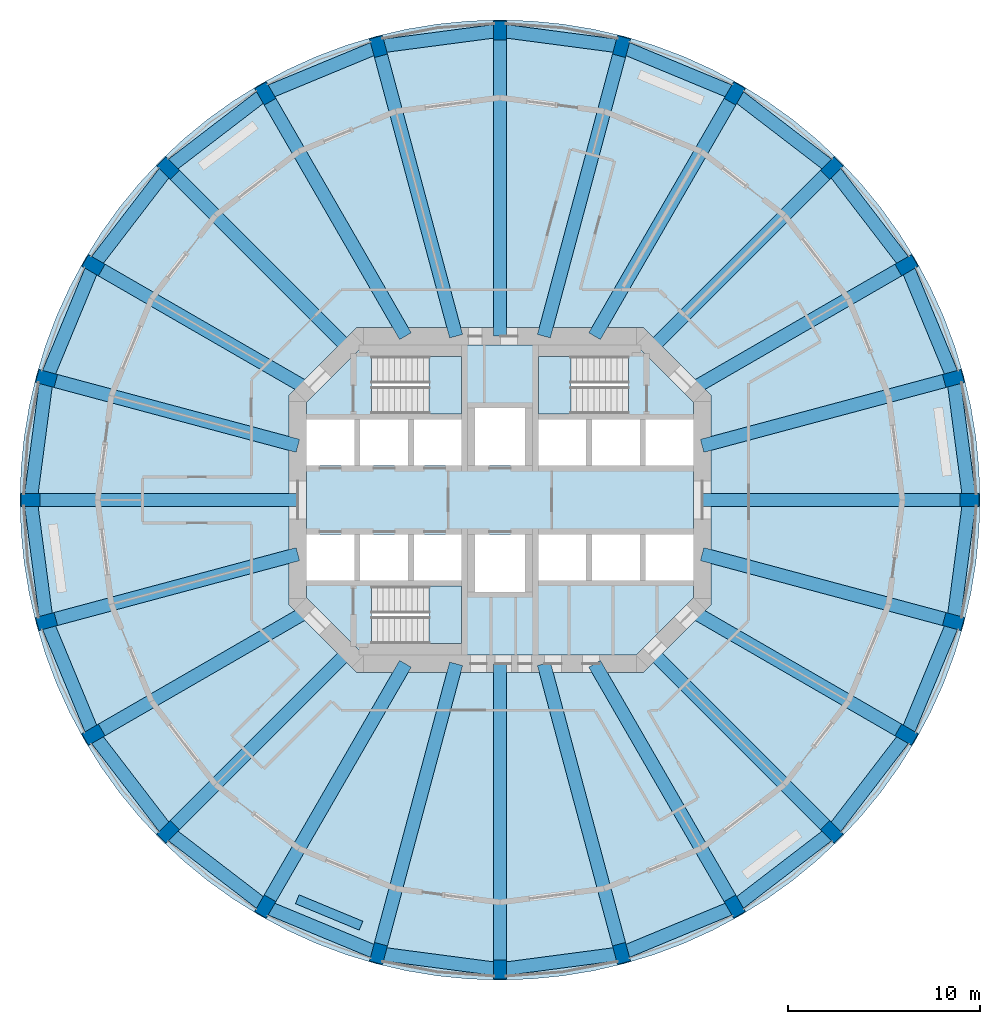
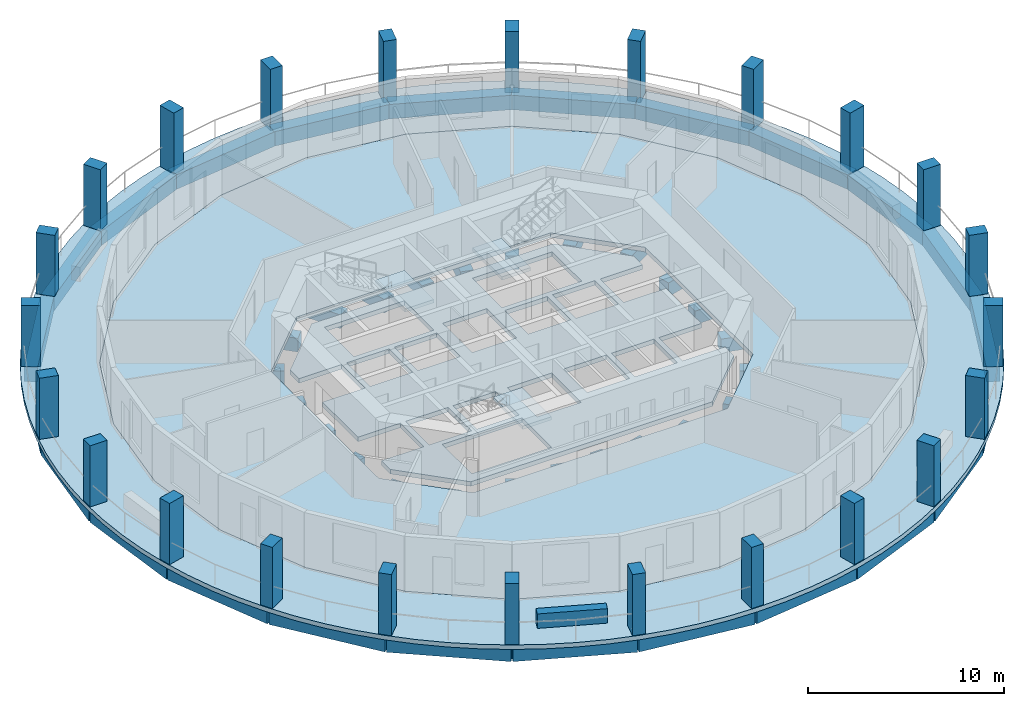
# One storey, part 1 of 8: 48 beams, 24 columns, 6 slabs, 1 wall, 3 elements without a shape of their own.
"""IFC4 building model written with IfcOpenShell, lengths in metres."""

from ifc_helpers import new_model, si_unit, direction, frame, frame_2d, origin, origin_2d, place, context, subcontext, project, spatial, polyline, rectangle, outline, extrude, material, layer, layer_set, material_profile, profile_set, type_object, element, aggregate, save


model = new_model("IFC4")

# Units and contexts
model_context = context("Model", 3, precision=1e-05, world=origin(), true_north=direction((0.0, 1.0)))
body_context = subcontext(model_context, "Body", "Model", "MODEL_VIEW")
ifc_project = project(units=[si_unit("LENGTHUNIT", "METRE"), si_unit("AREAUNIT", "SQUARE_METRE"), si_unit("VOLUMEUNIT", "CUBIC_METRE"), si_unit("PLANEANGLEUNIT", "RADIAN"), si_unit("MASSUNIT", "GRAM", prefix="KILO")], contexts=[model_context])

# Site, building, storey
site_placement = place(None, origin())
site = spatial("IfcSite", under=ifc_project, at=site_placement, CompositionType="ELEMENT")
building_placement = place(site_placement, origin())
building = spatial("IfcBuilding", under=site, at=building_placement, Name="Torre Triforio", CompositionType="ELEMENT")
storey_placement = place(building_placement, frame((0.0, 0.0, 139.0)))
storey = spatial("IfcBuildingStorey", under=building, at=storey_placement, Name="L31", CompositionType="ELEMENT", Elevation=139.0)

# Columns
ifc_material_1 = material(Name="Concrete C60", Category="concrete")
ifc_material_profile_1 = material_profile(ifc_material_1, rectangle(XDim=0.699951171875, YDim=1.0, at=origin_2d()), Name="RC 700x1000")
ifc_profile_set_1 = profile_set([ifc_material_profile_1], Name="Concrete C60")
column_type = type_object("IfcColumnType", Name="Pier RC 700x1000 C60", PredefinedType="COLUMN", material=ifc_profile_set_1)
for number, where, z_axis, x_axis, name in (
    (1, (24.5, 0.0, 0.0), (0.0, 0.0, 1.0), (0.0, 1.0, 0.0), "COL.R.L31.00"),
    (2, (23.665283203125, 6.341064453125, 0.0), (0.0, 0.0, 1.0), (-0.258819045103, 0.965925826289, 0.0), "COL.R.L31.01"),
    (3, (21.217529296875, 12.25, 0.0), (0.0, 0.0, 1.0), (-0.5, 0.866025403784, 0.0), "COL.R.L31.02"),
    (4, (17.32421875, 17.32421875, 0.0), (0.0, 0.0, 1.0), (-0.707106781187, 0.707106781187, 0.0), "COL.R.L31.03"),
    (5, (12.25, 21.217529296875, 0.0), (0.0, 0.0, 1.0), (-0.866025403784, 0.5, 0.0), "COL.R.L31.04"),
    (6, (6.341064453125, 23.665283203125, 0.0), (0.0, 0.0, 1.0), (-0.965925826289, 0.258819045103, 0.0), "COL.R.L31.05"),
    (7, (0.0, 24.5, 0.0), (0.0, 0.0, 1.0), (-1.0, 0.0, 0.0), "COL.R.L31.06"),
    (8, (-6.341064453125, 23.665283203125, 0.0), (0.0, 0.0, 1.0), (-0.965925826289, -0.258819045103, 0.0), "COL.R.L31.07"),
    (9, (-12.25, 21.217529296875, 0.0), (0.0, 0.0, 1.0), (-0.866025403784, -0.5, 0.0), "COL.R.L31.08"),
    (10, (-17.32421875, 17.32421875, 0.0), (0.0, 0.0, 1.0), (-0.707106781187, -0.707106781187, 0.0), "COL.R.L31.09"),
    (11, (-21.217529296875, 12.25, 0.0), (0.0, 0.0, 1.0), (-0.5, -0.866025403784, 0.0), "COL.R.L31.10"),
    (12, (-23.665283203125, 6.341064453125, 0.0), (0.0, 0.0, 1.0), (-0.258819045103, -0.965925826289, 0.0), "COL.R.L31.11"),
    (13, (-24.5, 0.0, 0.0), (0.0, 0.0, 1.0), (0.0, -1.0, 0.0), "COL.R.L31.12"),
    (14, (-23.665283203125, -6.341064453125, 0.0), (0.0, 0.0, 1.0), (0.258819045103, -0.965925826289, 0.0), "COL.R.L31.13"),
    (15, (-21.217529296875, -12.25, 0.0), (0.0, 0.0, 1.0), (0.5, -0.866025403784, 0.0), "COL.R.L31.14"),
    (16, (-17.32421875, -17.32421875, 0.0), (0.0, 0.0, 1.0), (0.707106781187, -0.707106781187, 0.0), "COL.R.L31.15"),
    (17, (-12.25, -21.217529296875, 0.0), (0.0, 0.0, 1.0), (0.866025403784, -0.5, 0.0), "COL.R.L31.16"),
    (18, (-6.341064453125, -23.665283203125, 0.0), (0.0, 0.0, 1.0), (0.965925826289, -0.258819045103, 0.0), "COL.R.L31.17"),
    (19, (0.0, -24.5, 0.0), (0.0, 0.0, 1.0), (1.0, 0.0, 0.0), "COL.R.L31.18"),
    (20, (6.341064453125, -23.665283203125, 0.0), (0.0, 0.0, 1.0), (0.965925826289, 0.258819045103, 0.0), "COL.R.L31.19"),
    (21, (12.25, -21.217529296875, 0.0), (0.0, 0.0, 1.0), (0.866025403784, 0.5, 0.0), "COL.R.L31.20"),
    (22, (17.32421875, -17.32421875, 0.0), (0.0, 0.0, 1.0), (0.707106781187, 0.707106781187, 0.0), "COL.R.L31.21"),
    (23, (21.217529296875, -12.25, 0.0), (0.0, 0.0, 1.0), (0.5, 0.866025403784, 0.0), "COL.R.L31.22"),
    (24, (23.665283203125, -6.341064453125, 0.0), (0.0, 0.0, 1.0), (0.258819045103, 0.965925826289, 0.0), "COL.R.L31.23"),
):
    element("IfcColumn", number, at=place(storey_placement, frame(where, z_axis=z_axis, x_axis=x_axis)), inside=storey, type_object=column_type, Name=name, PredefinedType="COLUMN", context=body_context, shape_type="SweptSolid", body=[
        extrude(rectangle(XDim=0.699951171875, YDim=1.0, at=origin_2d()), origin(), (0.0, 0.0, 1.0), 3.800048828125),
    ])

# Beams
ifc_material_2 = material(Name="Concrete C50", Category="concrete")
ifc_material_profile_2 = material_profile(ifc_material_2, rectangle(XDim=0.699951171875, YDim=0.85009765625, at=origin_2d()), Name="RC 700x850")
ifc_profile_set_2 = profile_set([ifc_material_profile_2], Name="Concrete C50")
beam_type_1 = type_object("IfcBeamType", Name="Radial beam RC 700x850 C50", PredefinedType="BEAM", material=ifc_profile_set_2)
beam_1_placement = place(storey_placement, frame((10.550048828125, 0.0, -0.705078125), z_axis=(1.0, 0.0, 0.0), x_axis=(0.0, 1.0, 0.0)))
element("IfcBeam", 25, at=beam_1_placement, inside=storey, type_object=beam_type_1, Name="BM.R.L31.00", PredefinedType="BEAM", context=body_context, shape_type="SweptSolid", body=[
    extrude(rectangle(XDim=0.699951171875, YDim=0.85009765625, at=origin_2d()), origin(), (0.0, 0.0, 1.0), 13.949951171875),
])
beam_2_placement = place(storey_placement, frame((10.550048828125, 2.826904296875, -0.705078125), z_axis=(0.965926862951, 0.258815176197, 0.0), x_axis=(-0.258815176197, 0.965926862951, 0.0)))
element("IfcBeam", 26, at=beam_2_placement, inside=storey, type_object=beam_type_1, Name="BM.R.L31.01", PredefinedType="BEAM", context=body_context, shape_type="SweptSolid", body=[
    extrude(rectangle(XDim=0.699951171875, YDim=0.85009765625, at=origin_2d()), origin(), (0.0, 0.0, 1.0), 13.577880859375),
])
beam_3_placement = place(storey_placement, frame((10.039794921875, 5.796630859375, -0.705078125), z_axis=(0.866028718729, 0.499994258303, 0.0), x_axis=(-0.499994258303, 0.866028718729, 0.0)))
element("IfcBeam", 27, at=beam_3_placement, inside=storey, type_object=beam_type_1, Name="BM.R.L31.02", PredefinedType="BEAM", context=body_context, shape_type="SweptSolid", body=[
    extrude(rectangle(XDim=0.699951171875, YDim=0.85009765625, at=origin_2d()), origin(), (0.0, 0.0, 1.0), 12.906982421875),
])
beam_4_placement = place(storey_placement, frame((7.918212890625, 7.918212890625, -0.705078125), z_axis=(0.707106781187, 0.707106781187, 0.0), x_axis=(-0.707106781187, 0.707106781187, 0.0)))
element("IfcBeam", 28, at=beam_4_placement, inside=storey, type_object=beam_type_1, Name="BM.R.L31.03", PredefinedType="BEAM", context=body_context, shape_type="SweptSolid", body=[
    extrude(rectangle(XDim=0.699951171875, YDim=0.85009765625, at=origin_2d()), origin(), (0.0, 0.0, 1.0), 13.302001953125),
])
beam_5_placement = place(storey_placement, frame((4.936279296875, 8.550048828125, -0.705078125), z_axis=(0.500007560092, 0.86602103892, 0.0), x_axis=(-0.86602103892, 0.500007560092, 0.0)))
element("IfcBeam", 29, at=beam_5_placement, inside=storey, type_object=beam_type_1, Name="BM.R.L31.04", PredefinedType="BEAM", context=body_context, shape_type="SweptSolid", body=[
    extrude(rectangle(XDim=0.699951171875, YDim=0.85009765625, at=origin_2d()), origin(), (0.0, 0.0, 1.0), 14.627197265625),
])
beam_6_placement = place(storey_placement, frame((2.291015625, 8.550048828125, -0.705078125), z_axis=(0.258815108997, 0.965926880957, 0.0), x_axis=(-0.965926880957, 0.258815108997, 0.0)))
element("IfcBeam", 30, at=beam_6_placement, inside=storey, type_object=beam_type_1, Name="BM.R.L31.05", PredefinedType="BEAM", context=body_context, shape_type="SweptSolid", body=[
    extrude(rectangle(XDim=0.699951171875, YDim=0.85009765625, at=origin_2d()), origin(), (0.0, 0.0, 1.0), 15.6484375),
])
beam_7_placement = place(storey_placement, frame((0.0, 8.550048828125, -0.705078125), z_axis=(0.0, 1.0, 0.0), x_axis=(-1.0, 0.0, 0.0)))
element("IfcBeam", 31, at=beam_7_placement, inside=storey, type_object=beam_type_1, Name="BM.R.L31.06", PredefinedType="BEAM", context=body_context, shape_type="SweptSolid", body=[
    extrude(rectangle(XDim=0.699951171875, YDim=0.85009765625, at=origin_2d()), origin(), (0.0, 0.0, 1.0), 15.949951171875),
])
beam_8_placement = place(storey_placement, frame((-2.291015625, 8.550048828125, -0.705078125), z_axis=(-0.258815108997, 0.965926880957, 0.0), x_axis=(-0.965926880957, -0.258815108997, 0.0)))
element("IfcBeam", 32, at=beam_8_placement, inside=storey, type_object=beam_type_1, Name="BM.R.L31.07", PredefinedType="BEAM", context=body_context, shape_type="SweptSolid", body=[
    extrude(rectangle(XDim=0.699951171875, YDim=0.85009765625, at=origin_2d()), origin(), (0.0, 0.0, 1.0), 15.6484375),
])
beam_9_placement = place(storey_placement, frame((-4.936279296875, 8.550048828125, -0.705078125), z_axis=(-0.500007560092, 0.86602103892, 0.0), x_axis=(-0.86602103892, -0.500007560092, 0.0)))
element("IfcBeam", 33, at=beam_9_placement, inside=storey, type_object=beam_type_1, Name="BM.R.L31.08", PredefinedType="BEAM", context=body_context, shape_type="SweptSolid", body=[
    extrude(rectangle(XDim=0.699951171875, YDim=0.85009765625, at=origin_2d()), origin(), (0.0, 0.0, 1.0), 14.627197265625),
])
beam_10_placement = place(storey_placement, frame((-7.918212890625, 7.918212890625, -0.705078125), z_axis=(-0.707106781187, 0.707106781187, 0.0), x_axis=(-0.707106781187, -0.707106781187, 0.0)))
element("IfcBeam", 34, at=beam_10_placement, inside=storey, type_object=beam_type_1, Name="BM.R.L31.09", PredefinedType="BEAM", context=body_context, shape_type="SweptSolid", body=[
    extrude(rectangle(XDim=0.699951171875, YDim=0.85009765625, at=origin_2d()), origin(), (0.0, 0.0, 1.0), 13.302001953125),
])
beam_11_placement = place(storey_placement, frame((-10.039794921875, 5.796630859375, -0.705078125), z_axis=(-0.866028718729, 0.499994258303, 0.0), x_axis=(-0.499994258303, -0.866028718729, 0.0)))
element("IfcBeam", 35, at=beam_11_placement, inside=storey, type_object=beam_type_1, Name="BM.R.L31.10", PredefinedType="BEAM", context=body_context, shape_type="SweptSolid", body=[
    extrude(rectangle(XDim=0.699951171875, YDim=0.85009765625, at=origin_2d()), origin(), (0.0, 0.0, 1.0), 12.906982421875),
])
beam_12_placement = place(storey_placement, frame((-10.550048828125, 2.826904296875, -0.705078125), z_axis=(-0.965926862951, 0.258815176197, 0.0), x_axis=(-0.258815176197, -0.965926862951, 0.0)))
element("IfcBeam", 36, at=beam_12_placement, inside=storey, type_object=beam_type_1, Name="BM.R.L31.11", PredefinedType="BEAM", context=body_context, shape_type="SweptSolid", body=[
    extrude(rectangle(XDim=0.699951171875, YDim=0.85009765625, at=origin_2d()), origin(), (0.0, 0.0, 1.0), 13.577880859375),
])
beam_13_placement = place(storey_placement, frame((-10.550048828125, 0.0, -0.705078125), z_axis=(-1.0, 0.0, 0.0), x_axis=(0.0, -1.0, 0.0)))
element("IfcBeam", 37, at=beam_13_placement, inside=storey, type_object=beam_type_1, Name="BM.R.L31.12", PredefinedType="BEAM", context=body_context, shape_type="SweptSolid", body=[
    extrude(rectangle(XDim=0.699951171875, YDim=0.85009765625, at=origin_2d()), origin(), (0.0, 0.0, 1.0), 13.949951171875),
])
beam_14_placement = place(storey_placement, frame((-10.550048828125, -2.826904296875, -0.705078125), z_axis=(-0.965926862951, -0.258815176197, 0.0), x_axis=(0.258815176197, -0.965926862951, 0.0)))
element("IfcBeam", 38, at=beam_14_placement, inside=storey, type_object=beam_type_1, Name="BM.R.L31.13", PredefinedType="BEAM", context=body_context, shape_type="SweptSolid", body=[
    extrude(rectangle(XDim=0.699951171875, YDim=0.85009765625, at=origin_2d()), origin(), (0.0, 0.0, 1.0), 13.577880859375),
])
beam_15_placement = place(storey_placement, frame((-10.039794921875, -5.796630859375, -0.705078125), z_axis=(-0.866028718729, -0.499994258303, 0.0), x_axis=(0.499994258303, -0.866028718729, 0.0)))
element("IfcBeam", 39, at=beam_15_placement, inside=storey, type_object=beam_type_1, Name="BM.R.L31.14", PredefinedType="BEAM", context=body_context, shape_type="SweptSolid", body=[
    extrude(rectangle(XDim=0.699951171875, YDim=0.85009765625, at=origin_2d()), origin(), (0.0, 0.0, 1.0), 12.906982421875),
])
beam_16_placement = place(storey_placement, frame((-7.918212890625, -7.918212890625, -0.705078125), z_axis=(-0.707106781187, -0.707106781187, 0.0), x_axis=(0.707106781187, -0.707106781187, 0.0)))
element("IfcBeam", 40, at=beam_16_placement, inside=storey, type_object=beam_type_1, Name="BM.R.L31.15", PredefinedType="BEAM", context=body_context, shape_type="SweptSolid", body=[
    extrude(rectangle(XDim=0.699951171875, YDim=0.85009765625, at=origin_2d()), origin(), (0.0, 0.0, 1.0), 13.302001953125),
])
beam_17_placement = place(storey_placement, frame((-4.936279296875, -8.550048828125, -0.705078125), z_axis=(-0.500007560092, -0.86602103892, 0.0), x_axis=(0.86602103892, -0.500007560092, 0.0)))
element("IfcBeam", 41, at=beam_17_placement, inside=storey, type_object=beam_type_1, Name="BM.R.L31.16", PredefinedType="BEAM", context=body_context, shape_type="SweptSolid", body=[
    extrude(rectangle(XDim=0.699951171875, YDim=0.85009765625, at=origin_2d()), origin(), (0.0, 0.0, 1.0), 14.627197265625),
])
beam_18_placement = place(storey_placement, frame((-2.291015625, -8.550048828125, -0.705078125), z_axis=(-0.258815108997, -0.965926880957, 0.0), x_axis=(0.965926880957, -0.258815108997, 0.0)))
element("IfcBeam", 42, at=beam_18_placement, inside=storey, type_object=beam_type_1, Name="BM.R.L31.17", PredefinedType="BEAM", context=body_context, shape_type="SweptSolid", body=[
    extrude(rectangle(XDim=0.699951171875, YDim=0.85009765625, at=origin_2d()), origin(), (0.0, 0.0, 1.0), 15.6484375),
])
beam_19_placement = place(storey_placement, frame((0.0, -8.550048828125, -0.705078125), z_axis=(0.0, -1.0, 0.0), x_axis=(1.0, 0.0, 0.0)))
element("IfcBeam", 43, at=beam_19_placement, inside=storey, type_object=beam_type_1, Name="BM.R.L31.18", PredefinedType="BEAM", context=body_context, shape_type="SweptSolid", body=[
    extrude(rectangle(XDim=0.699951171875, YDim=0.85009765625, at=origin_2d()), origin(), (0.0, 0.0, 1.0), 15.949951171875),
])
beam_20_placement = place(storey_placement, frame((2.291015625, -8.550048828125, -0.705078125), z_axis=(0.258815108997, -0.965926880957, 0.0), x_axis=(0.965926880957, 0.258815108997, 0.0)))
element("IfcBeam", 44, at=beam_20_placement, inside=storey, type_object=beam_type_1, Name="BM.R.L31.19", PredefinedType="BEAM", context=body_context, shape_type="SweptSolid", body=[
    extrude(rectangle(XDim=0.699951171875, YDim=0.85009765625, at=origin_2d()), origin(), (0.0, 0.0, 1.0), 15.6484375),
])
beam_21_placement = place(storey_placement, frame((4.936279296875, -8.550048828125, -0.705078125), z_axis=(0.500007560092, -0.86602103892, 0.0), x_axis=(0.86602103892, 0.500007560092, 0.0)))
element("IfcBeam", 45, at=beam_21_placement, inside=storey, type_object=beam_type_1, Name="BM.R.L31.20", PredefinedType="BEAM", context=body_context, shape_type="SweptSolid", body=[
    extrude(rectangle(XDim=0.699951171875, YDim=0.85009765625, at=origin_2d()), origin(), (0.0, 0.0, 1.0), 14.627197265625),
])
beam_22_placement = place(storey_placement, frame((7.918212890625, -7.918212890625, -0.705078125), z_axis=(0.707106781187, -0.707106781187, 0.0), x_axis=(0.707106781187, 0.707106781187, 0.0)))
element("IfcBeam", 46, at=beam_22_placement, inside=storey, type_object=beam_type_1, Name="BM.R.L31.21", PredefinedType="BEAM", context=body_context, shape_type="SweptSolid", body=[
    extrude(rectangle(XDim=0.699951171875, YDim=0.85009765625, at=origin_2d()), origin(), (0.0, 0.0, 1.0), 13.302001953125),
])
beam_23_placement = place(storey_placement, frame((10.039794921875, -5.796630859375, -0.705078125), z_axis=(0.866028718729, -0.499994258303, 0.0), x_axis=(0.499994258303, 0.866028718729, 0.0)))
element("IfcBeam", 47, at=beam_23_placement, inside=storey, type_object=beam_type_1, Name="BM.R.L31.22", PredefinedType="BEAM", context=body_context, shape_type="SweptSolid", body=[
    extrude(rectangle(XDim=0.699951171875, YDim=0.85009765625, at=origin_2d()), origin(), (0.0, 0.0, 1.0), 12.906982421875),
])
beam_24_placement = place(storey_placement, frame((10.550048828125, -2.826904296875, -0.705078125), z_axis=(0.965926862951, -0.258815176197, 0.0), x_axis=(0.258815176197, 0.965926862951, 0.0)))
element("IfcBeam", 48, at=beam_24_placement, inside=storey, type_object=beam_type_1, Name="BM.R.L31.23", PredefinedType="BEAM", context=body_context, shape_type="SweptSolid", body=[
    extrude(rectangle(XDim=0.699951171875, YDim=0.85009765625, at=origin_2d()), origin(), (0.0, 0.0, 1.0), 13.577880859375),
])
ifc_material_profile_3 = material_profile(ifc_material_2, rectangle(XDim=0.699951171875, YDim=0.89990234375, at=origin_2d()), Name="RC 700x900")
ifc_profile_set_3 = profile_set([ifc_material_profile_3], Name="Concrete C50")
beam_type_2 = type_object("IfcBeamType", Name="Spandrel beam RC 700x900 C50", PredefinedType="SPANDREL", material=ifc_profile_set_3)
for number, where, z_axis, x_axis, name in (
    (49, (24.5, 0.0, -0.72998046875), (-0.130510796237, 0.991446888172, 0.0), (-0.991446888172, -0.130510796237, 0.0), "BM.S.L31.00"),
    (50, (23.665283203125, 6.341064453125, -0.72998046875), (-0.382709143949, 0.923868882006, 0.0), (-0.923868882006, -0.382709143949, 0.0), "BM.S.L31.01"),
    (51, (21.217529296875, 12.25, -0.72998046875), (-0.60873442055, 0.79337406388, 0.0), (-0.79337406388, -0.60873442055, 0.0), "BM.S.L31.02"),
    (52, (17.32421875, 17.32421875, -0.72998046875), (-0.79337406388, 0.60873442055, 0.0), (-0.60873442055, -0.79337406388, 0.0), "BM.S.L31.03"),
    (53, (12.25, 21.217529296875, -0.72998046875), (-0.923868882006, 0.382709143949, 0.0), (-0.382709143949, -0.923868882006, 0.0), "BM.S.L31.04"),
    (54, (6.341064453125, 23.665283203125, -0.72998046875), (-0.991446888172, 0.130510796237, 0.0), (-0.130510796237, -0.991446888172, 0.0), "BM.S.L31.05"),
    (55, (0.0, 24.5, -0.72998046875), (-0.991446888172, -0.130510796237, 0.0), (0.130510796237, -0.991446888172, 0.0), "BM.S.L31.06"),
    (56, (-6.341064453125, 23.665283203125, -0.72998046875), (-0.923868882006, -0.382709143949, 0.0), (0.382709143949, -0.923868882006, 0.0), "BM.S.L31.07"),
    (57, (-12.25, 21.217529296875, -0.72998046875), (-0.79337406388, -0.60873442055, 0.0), (0.60873442055, -0.79337406388, 0.0), "BM.S.L31.08"),
    (58, (-17.32421875, 17.32421875, -0.72998046875), (-0.60873442055, -0.79337406388, 0.0), (0.79337406388, -0.60873442055, 0.0), "BM.S.L31.09"),
    (59, (-21.217529296875, 12.25, -0.72998046875), (-0.382709143949, -0.923868882006, 0.0), (0.923868882006, -0.382709143949, 0.0), "BM.S.L31.10"),
    (60, (-23.665283203125, 6.341064453125, -0.72998046875), (-0.130510796237, -0.991446888172, 0.0), (0.991446888172, -0.130510796237, 0.0), "BM.S.L31.11"),
    (61, (-24.5, 0.0, -0.72998046875), (0.130510796237, -0.991446888172, 0.0), (0.991446888172, 0.130510796237, 0.0), "BM.S.L31.12"),
    (62, (-23.665283203125, -6.341064453125, -0.72998046875), (0.382709143949, -0.923868882006, 0.0), (0.923868882006, 0.382709143949, 0.0), "BM.S.L31.13"),
    (63, (-21.217529296875, -12.25, -0.72998046875), (0.60873442055, -0.79337406388, 0.0), (0.79337406388, 0.60873442055, 0.0), "BM.S.L31.14"),
    (64, (-17.32421875, -17.32421875, -0.72998046875), (0.79337406388, -0.60873442055, 0.0), (0.60873442055, 0.79337406388, 0.0), "BM.S.L31.15"),
    (65, (-12.25, -21.217529296875, -0.72998046875), (0.923868882006, -0.382709143949, 0.0), (0.382709143949, 0.923868882006, 0.0), "BM.S.L31.16"),
    (66, (-6.341064453125, -23.665283203125, -0.72998046875), (0.991446888172, -0.130510796237, 0.0), (0.130510796237, 0.991446888172, 0.0), "BM.S.L31.17"),
    (67, (0.0, -24.5, -0.72998046875), (0.991446888172, 0.130510796237, 0.0), (-0.130510796237, 0.991446888172, 0.0), "BM.S.L31.18"),
    (68, (6.341064453125, -23.665283203125, -0.72998046875), (0.923868882006, 0.382709143949, 0.0), (-0.382709143949, 0.923868882006, 0.0), "BM.S.L31.19"),
    (69, (12.25, -21.217529296875, -0.72998046875), (0.79337406388, 0.60873442055, 0.0), (-0.60873442055, 0.79337406388, 0.0), "BM.S.L31.20"),
    (70, (17.32421875, -17.32421875, -0.72998046875), (0.60873442055, 0.79337406388, 0.0), (-0.79337406388, 0.60873442055, 0.0), "BM.S.L31.21"),
    (71, (21.217529296875, -12.25, -0.72998046875), (0.382709143949, 0.923868882006, 0.0), (-0.923868882006, 0.382709143949, 0.0), "BM.S.L31.22"),
    (72, (23.665283203125, -6.341064453125, -0.72998046875), (0.130510796237, 0.991446888172, 0.0), (-0.991446888172, 0.130510796237, 0.0), "BM.S.L31.23"),
):
    element("IfcBeam", number, at=place(storey_placement, frame(where, z_axis=z_axis, x_axis=x_axis)), inside=storey, type_object=beam_type_2, Name=name, PredefinedType="SPANDREL", context=body_context, shape_type="SweptSolid", body=[
        extrude(rectangle(XDim=0.699951171875, YDim=0.89990234375, at=origin_2d()), origin(), (0.0, 0.0, 1.0), 6.395751953125),
    ])

# Slabs
ifc_layer_1 = layer(ifc_material_1, 0.280029296875)
ifc_layer_set_1 = layer_set([ifc_layer_1], Name="Concrete C60")
slab_type_1 = type_object("IfcSlabType", Name="Core floor slab 280 mm C60 REI 120", PredefinedType="FLOOR", material=ifc_layer_set_1)
slab_1_placement = place(storey_placement, frame((0.0, 0.0, -0.280029296875)))
element("IfcSlab", 73, at=slab_1_placement, inside=storey, type_object=slab_type_1, Name="Core floor slab", PredefinedType="FLOOR", context=body_context, shape_type="SweptSolid", body=[
    extrude(outline(polyline([(10.10009765625, -5.10009765625), (7.10009765625, -8.10009765625), (-7.10009765625, -8.10009765625), (-10.10009765625, -5.10009765625), (-10.10009765625, -4.199951171875), (-7.60009765625, -4.199951171875), (-7.60009765625, -1.800048828125), (-10.10009765625, -1.800048828125), (-10.10009765625, 1.800048828125), (-7.60009765625, 1.800048828125), (-7.60009765625, 4.199951171875), (-10.10009765625, 4.199951171875), (-10.10009765625, 5.10009765625), (-7.10009765625, 8.10009765625), (7.10009765625, 8.10009765625), (10.10009765625, 5.10009765625), (10.10009765625, 4.199951171875), (7.60009765625, 4.199951171875), (7.60009765625, 1.800048828125), (10.10009765625, 1.800048828125), (10.10009765625, -1.800048828125), (7.60009765625, -1.800048828125), (7.60009765625, -4.199951171875), (10.10009765625, -4.199951171875), (10.10009765625, -5.10009765625)]), holes=[polyline([(-2.0, -4.5), (-6.696044921875, -4.5), (-6.696044921875, -7.5), (-2.0, -7.5), (-2.0, -4.5)]), polyline([(-4.800048828125, -1.800048828125), (-7.300048828125, -1.800048828125), (-7.300048828125, -4.199951171875), (-4.800048828125, -4.199951171875), (-4.800048828125, -1.800048828125)]), polyline([(-2.0, -1.800048828125), (-4.5, -1.800048828125), (-4.5, -4.199951171875), (-2.0, -4.199951171875), (-2.0, -1.800048828125)]), polyline([(-4.800048828125, 4.199951171875), (-7.300048828125, 4.199951171875), (-7.300048828125, 1.800048828125), (-4.800048828125, 1.800048828125), (-4.800048828125, 4.199951171875)]), polyline([(-2.0, 4.199951171875), (-4.5, 4.199951171875), (-4.5, 1.800048828125), (-2.0, 1.800048828125), (-2.0, 4.199951171875)]), polyline([(1.300048828125, 4.800048828125), (-1.300048828125, 4.800048828125), (-1.300048828125, 1.800048828125), (1.300048828125, 1.800048828125), (1.300048828125, 4.800048828125)]), polyline([(-2.0, 7.5), (-6.696044921875, 7.5), (-6.696044921875, 4.5), (-2.0, 4.5), (-2.0, 7.5)]), polyline([(1.300048828125, -1.800048828125), (-1.300048828125, -1.800048828125), (-1.300048828125, -4.800048828125), (1.300048828125, -4.800048828125), (1.300048828125, -1.800048828125)]), polyline([(4.5, -1.800048828125), (2.0, -1.800048828125), (2.0, -4.199951171875), (4.5, -4.199951171875), (4.5, -1.800048828125)]), polyline([(7.300048828125, -1.800048828125), (4.800048828125, -1.800048828125), (4.800048828125, -4.199951171875), (7.300048828125, -4.199951171875), (7.300048828125, -1.800048828125)]), polyline([(4.5, 4.199951171875), (2.0, 4.199951171875), (2.0, 1.800048828125), (4.5, 1.800048828125), (4.5, 4.199951171875)]), polyline([(7.300048828125, 4.199951171875), (4.800048828125, 4.199951171875), (4.800048828125, 1.800048828125), (7.300048828125, 1.800048828125), (7.300048828125, 4.199951171875)]), polyline([(6.696044921875, 4.5), (6.696044921875, 7.5), (2.0, 7.5), (2.0, 4.5), (6.696044921875, 4.5)])]), origin(), (0.0, 0.0, 1.0), 0.280029296875),
])
ifc_layer_2 = layer(ifc_material_2, 0.280029296875)
ifc_layer_set_2 = layer_set([ifc_layer_2], Name="Concrete C50")
slab_type_2 = type_object("IfcSlabType", Name="Floor slab 280 C50", PredefinedType="FLOOR", material=ifc_layer_set_2)
slab_2_placement = place(storey_placement, frame((0.0, 0.0, -0.280029296875)))
element("IfcSlab", 74, at=slab_2_placement, inside=storey, type_object=slab_type_2, Name="SL.L31", PredefinedType="FLOOR", context=body_context, shape_type="SweptSolid", body=[
    extrude(outline(polyline([(18.1865234375, -10.5), (20.284423828125, -5.435302734375), (21.0, 0.0), (20.284423828125, 5.435302734375), (18.1865234375, 10.5), (14.84912109375, 14.84912109375), (10.5, 18.1865234375), (5.435302734375, 20.284423828125), (0.0, 21.0), (-5.435302734375, 20.284423828125), (-10.5, 18.1865234375), (-14.84912109375, 14.84912109375), (-18.1865234375, 10.5), (-20.284423828125, 5.435302734375), (-21.0, 0.0), (-20.284423828125, -5.435302734375), (-18.1865234375, -10.5), (-14.84912109375, -14.84912109375), (-10.5, -18.1865234375), (-5.435302734375, -20.284423828125), (0.0, -21.0), (5.435302734375, -20.284423828125), (10.5, -18.1865234375), (14.84912109375, -14.84912109375), (18.1865234375, -10.5)]), holes=[polyline([(11.0, 5.472900390625), (11.0, -5.472900390625), (7.472900390625, -9.0), (-7.472900390625, -9.0), (-11.0, -5.472900390625), (-11.0, 5.472900390625), (-7.472900390625, 9.0), (7.472900390625, 9.0), (11.0, 5.472900390625)])]), origin(), (0.0, 0.0, 1.0), 0.280029296875),
])
ifc_layer_3 = layer(ifc_material_2, 0.280029296875)
ifc_layer_set_3 = layer_set([ifc_layer_3], Name="Concrete C50")
slab_type_3 = type_object("IfcSlabType", Name="Loggia slab 280 C50", PredefinedType="FLOOR", material=ifc_layer_set_3)
slab_3_placement = place(storey_placement, frame((0.0, 0.0, -0.280029296875)))
element("IfcSlab", 75, at=slab_3_placement, inside=storey, type_object=slab_type_3, Name="SL.L31.LG", PredefinedType="FLOOR", context=body_context, shape_type="SweptSolid", body=[
    extrude(outline(polyline([(24.996337890625, -1.638427734375), (25.050048828125, 0.0), (24.996337890625, 1.638427734375), (24.835693359375, 3.269775390625), (24.568603515625, 4.886962890625), (24.196533203125, 6.4833984375), (23.720703125, 8.052001953125), (23.14306640625, 9.586181640625), (22.466552734375, 11.079345703125), (21.69384765625, 12.52490234375), (20.828369140625, 13.9169921875), (19.87353515625, 15.24951171875), (18.83349609375, 16.5166015625), (17.713134765625, 17.713134765625), (16.5166015625, 18.83349609375), (15.24951171875, 19.87353515625), (13.9169921875, 20.828369140625), (12.52490234375, 21.69384765625), (11.079345703125, 22.466552734375), (9.586181640625, 23.14306640625), (8.052001953125, 23.720703125), (6.4833984375, 24.196533203125), (4.886962890625, 24.568603515625), (3.269775390625, 24.835693359375), (1.638427734375, 24.996337890625), (0.0, 25.050048828125), (-1.638427734375, 24.996337890625), (-3.269775390625, 24.835693359375), (-4.886962890625, 24.568603515625), (-6.4833984375, 24.196533203125), (-8.052001953125, 23.720703125), (-9.586181640625, 23.14306640625), (-11.079345703125, 22.466552734375), (-12.52490234375, 21.69384765625), (-13.9169921875, 20.828369140625), (-15.24951171875, 19.87353515625), (-16.5166015625, 18.83349609375), (-17.713134765625, 17.713134765625), (-18.83349609375, 16.5166015625), (-19.87353515625, 15.24951171875), (-20.828369140625, 13.9169921875), (-21.69384765625, 12.52490234375), (-22.466552734375, 11.079345703125), (-23.14306640625, 9.586181640625), (-23.720703125, 8.052001953125), (-24.196533203125, 6.4833984375), (-24.568603515625, 4.886962890625), (-24.835693359375, 3.269775390625), (-24.996337890625, 1.638427734375), (-25.050048828125, 0.0), (-24.996337890625, -1.638427734375), (-24.835693359375, -3.269775390625), (-24.568603515625, -4.886962890625), (-24.196533203125, -6.4833984375), (-23.720703125, -8.052001953125), (-23.14306640625, -9.586181640625), (-22.466552734375, -11.079345703125), (-21.69384765625, -12.52490234375), (-20.828369140625, -13.9169921875), (-19.87353515625, -15.24951171875), (-18.83349609375, -16.5166015625), (-17.713134765625, -17.713134765625), (-16.5166015625, -18.83349609375), (-15.24951171875, -19.87353515625), (-13.9169921875, -20.828369140625), (-12.52490234375, -21.69384765625), (-11.079345703125, -22.466552734375), (-9.586181640625, -23.14306640625), (-8.052001953125, -23.720703125), (-6.4833984375, -24.196533203125), (-4.886962890625, -24.568603515625), (-3.269775390625, -24.835693359375), (-1.638427734375, -24.996337890625), (0.0, -25.050048828125), (1.638427734375, -24.996337890625), (3.269775390625, -24.835693359375), (4.886962890625, -24.568603515625), (6.4833984375, -24.196533203125), (8.052001953125, -23.720703125), (9.586181640625, -23.14306640625), (11.079345703125, -22.466552734375), (12.52490234375, -21.69384765625), (13.9169921875, -20.828369140625), (15.24951171875, -19.87353515625), (16.5166015625, -18.83349609375), (17.713134765625, -17.713134765625), (18.83349609375, -16.5166015625), (19.87353515625, -15.24951171875), (20.828369140625, -13.9169921875), (21.69384765625, -12.52490234375), (22.466552734375, -11.079345703125), (23.14306640625, -9.586181640625), (23.720703125, -8.052001953125), (24.196533203125, -6.4833984375), (24.568603515625, -4.886962890625), (24.835693359375, -3.269775390625), (24.996337890625, -1.638427734375)]), holes=[polyline([(20.284423828125, 5.435302734375), (21.0, 0.0), (20.284423828125, -5.435302734375), (18.1865234375, -10.5), (14.84912109375, -14.84912109375), (10.5, -18.1865234375), (5.435302734375, -20.284423828125), (0.0, -21.0), (-5.435302734375, -20.284423828125), (-10.5, -18.1865234375), (-14.84912109375, -14.84912109375), (-18.1865234375, -10.5), (-20.284423828125, -5.435302734375), (-21.0, 0.0), (-20.284423828125, 5.435302734375), (-18.1865234375, 10.5), (-14.84912109375, 14.84912109375), (-10.5, 18.1865234375), (-5.435302734375, 20.284423828125), (0.0, 21.0), (5.435302734375, 20.284423828125), (10.5, 18.1865234375), (14.84912109375, 14.84912109375), (18.1865234375, 10.5), (20.284423828125, 5.435302734375)])]), origin(), (0.0, 0.0, 1.0), 0.280029296875),
])

# Stair, slab
ifc_material_3 = material(Name="Concrete C40", Category="concrete")
stair_type = type_object("IfcStairType", Name="STAIR HALF-TURN", PredefinedType="HALF_TURN_STAIR", material=ifc_material_3)
stair_1_placement = place(storey_placement, origin())
stair_1 = element("IfcStair", 76, at=stair_1_placement, inside=storey, type_object=stair_type, Name="Exit stair 1", PredefinedType="HALF_TURN_STAIR")
ifc_layer_4 = layer(ifc_material_3, 0.199951171875)
ifc_layer_set_4 = layer_set([ifc_layer_4], Name="Concrete C40")
slab_type_4 = type_object("IfcSlabType", Name="STAIR LANDING 200", PredefinedType="LANDING", material=ifc_layer_set_4)
slab_4_placement = place(storey_placement, frame((0.0, 0.0, 1.699951171875)))
slab_4 = element("IfcSlab", 77, at=slab_4_placement, type_object=slab_type_4, Name="ST1 landing 1", PredefinedType="LANDING", context=body_context, shape_type="SweptSolid", body=[
    extrude(outline(polyline([(-2.0, 4.5), (-2.0, 7.5), (-3.699951171875, 7.5), (-3.699951171875, 4.5), (-2.0, 4.5)])), origin(), (0.0, 0.0, 1.0), 0.199951171875),
])
aggregate(stair_1, [slab_4])

stair_2_placement = place(storey_placement, origin())
stair_2 = element("IfcStair", 78, at=stair_2_placement, inside=storey, type_object=stair_type, Name="Exit stair 2", PredefinedType="HALF_TURN_STAIR")
slab_5_placement = place(storey_placement, frame((0.0, 0.0, 1.699951171875)))
slab_5 = element("IfcSlab", 79, at=slab_5_placement, type_object=slab_type_4, Name="ST2 landing 1", PredefinedType="LANDING", context=body_context, shape_type="SweptSolid", body=[
    extrude(outline(polyline([(3.699951171875, 4.5), (3.699951171875, 7.5), (2.0, 7.5), (2.0, 4.5), (3.699951171875, 4.5)])), origin(), (0.0, 0.0, 1.0), 0.199951171875),
])
aggregate(stair_2, [slab_5])

stair_3_placement = place(storey_placement, origin())
stair_3 = element("IfcStair", 80, at=stair_3_placement, inside=storey, type_object=stair_type, Name="Exit stair 3", PredefinedType="HALF_TURN_STAIR")
slab_6_placement = place(storey_placement, frame((0.0, 0.0, 1.699951171875)))
slab_6 = element("IfcSlab", 81, at=slab_6_placement, type_object=slab_type_4, Name="ST3 landing 1", PredefinedType="LANDING", context=body_context, shape_type="SweptSolid", body=[
    extrude(outline(polyline([(-2.0, -7.5), (-2.0, -4.5), (-3.699951171875, -4.5), (-3.699951171875, -7.5), (-2.0, -7.5)])), origin(), (0.0, 0.0, 1.0), 0.199951171875),
])
aggregate(stair_3, [slab_6])

# Wall
ifc_material_4 = material(Name="Limestone cladding", Category="masonry")
ifc_layer_5 = layer(ifc_material_4, 0.10009765625)
ifc_layer_6 = layer(ifc_material_3, 0.39990234375)
ifc_layer_set_5 = layer_set([ifc_layer_5, ifc_layer_6], Name="Limestone cladding / Concrete C40")
wall_type = type_object("IfcWallType", Name="Planter wall 500", PredefinedType="PARAPET", material=ifc_layer_set_5)
wall_placement = place(storey_placement, frame((-10.57958984375, -20.837646484375, 0.0), z_axis=(0.0, 0.0, 1.0), x_axis=(0.923909393783, -0.382611332921, 0.0)))
element("IfcWall", 82, at=wall_placement, inside=storey, type_object=wall_type, Name="Planter L31 bay 17", PredefinedType="PARAPET", context=body_context, shape_type="SweptSolid", body=[
    extrude(rectangle(XDim=3.60009765625, YDim=0.5, at=frame_2d((1.800048828125, 0.0))), origin(), (0.0, 0.0, 1.0), 0.89990234375),
])

save(model, "model.ifc")
